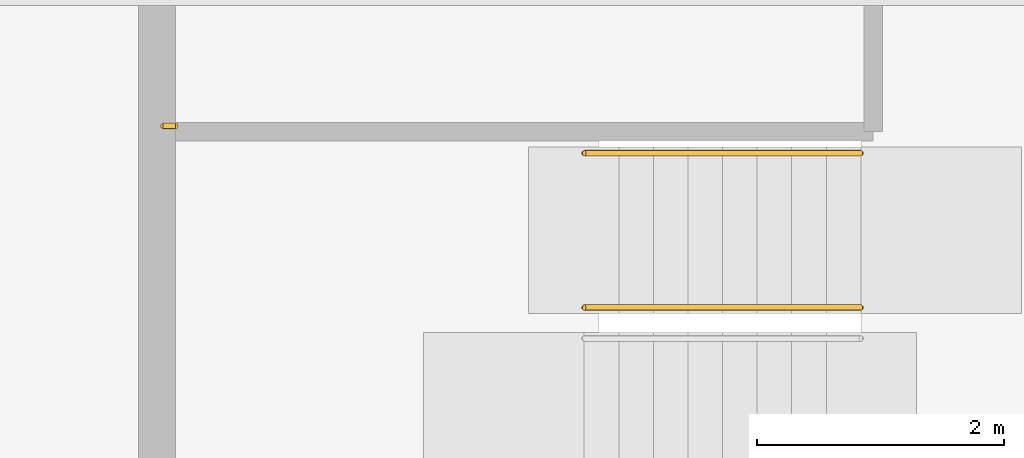
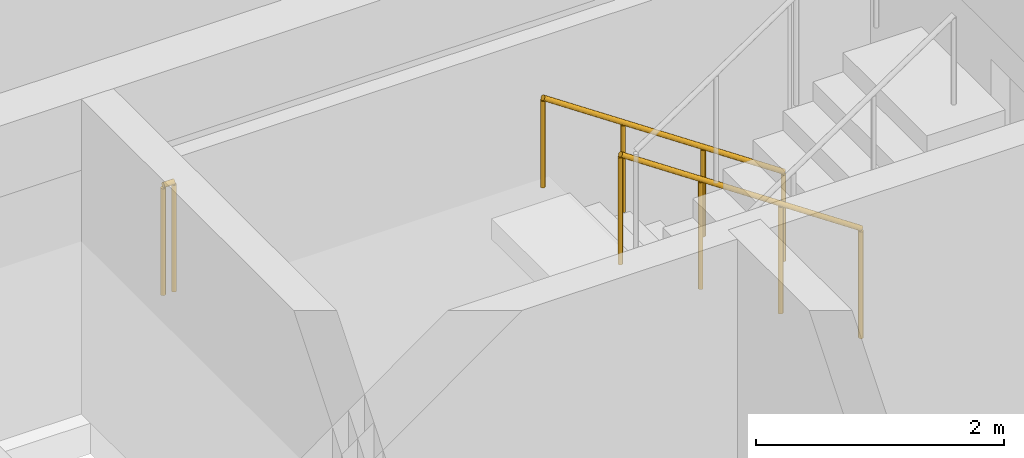
# One storey, part 11 of 12: 3 railings.
"""IFC4 building model written with IfcOpenShell, lengths in metres."""

from ifc_helpers import new_model, si_unit, direction, frame, origin, origin_2d, place, context, subcontext, project, spatial, circle, extrude, material, type_object, element, save


model = new_model("IFC4")

# Units and contexts
model_context = context("Model", 3, precision=1e-05, world=origin(), true_north=direction((0.0, 1.0)))
body_context = subcontext(model_context, "Body", "Model", "MODEL_VIEW")
ifc_project = project(units=[si_unit("LENGTHUNIT", "METRE"), si_unit("AREAUNIT", "SQUARE_METRE"), si_unit("VOLUMEUNIT", "CUBIC_METRE"), si_unit("PLANEANGLEUNIT", "RADIAN"), si_unit("MASSUNIT", "GRAM", prefix="KILO")], contexts=[model_context])

# Site, building, storey
site_placement = place(None, origin())
site = spatial("IfcSite", under=ifc_project, at=site_placement, CompositionType="ELEMENT")
building_placement = place(site_placement, origin())
building = spatial("IfcBuilding", under=site, at=building_placement, Name="Windrow Commons", CompositionType="ELEMENT")
storey_placement = place(building_placement, frame((0.0, 0.0, 260.8)))
storey = spatial("IfcBuildingStorey", under=building, at=storey_placement, Name="L71", CompositionType="ELEMENT", Elevation=260.8)

# Railings
ifc_material_1 = material(Name="Steel S355", Category="steel")
railing_type_1 = type_object("IfcRailingType", Name="Core stair guard 1100", PredefinedType="GUARDRAIL", material=ifc_material_1)
railing_1_placement = place(storey_placement, frame((70.5, 62.355, 0.1889)))
element("IfcRailing", 1, at=railing_1_placement, inside=storey, type_object=railing_type_1, Name="L71 ST-A2 stair guard 1", PredefinedType="GUARDRAIL", context=body_context, shape_type="SweptSolid", body=[
    extrude(circle(Radius=0.024, at=origin_2d()), frame((0.0, 0.0, 1.076), z_axis=(-0.8290030985, 0.0, 0.5592440099), x_axis=(0.0, -1.0, 0.0)), (0.0, 0.0, 1.0), 2.702),
    extrude(circle(Radius=0.021, at=origin_2d()), origin(), (0.0, 0.0, 1.0), 1.052),
    extrude(circle(Radius=0.021, at=origin_2d()), frame((-0.7467, 0.0, 0.5037)), (0.0, 0.0, 1.0), 1.052),
    extrude(circle(Radius=0.021, at=origin_2d()), frame((-1.4933, 0.0, 1.0074)), (0.0, 0.0, 1.0), 1.052),
    extrude(circle(Radius=0.021, at=origin_2d()), frame((-2.24, 0.0, 1.5111)), (0.0, 0.0, 1.0), 1.052),
])
railing_2_placement = place(storey_placement, frame((64.95, 63.825, 1.7)))
element("IfcRailing", 2, at=railing_2_placement, inside=storey, type_object=railing_type_1, Name="L71 ST-A2 stair guard 3", PredefinedType="GUARDRAIL", context=body_context, shape_type="SweptSolid", body=[
    extrude(circle(Radius=0.024, at=origin_2d()), frame((0.0, 0.0, 1.076), z_axis=(-1.0, 0.0, 0.0), x_axis=(0.0, -1.0, 0.0)), (0.0, 0.0, 1.0), 0.1),
    extrude(circle(Radius=0.021, at=origin_2d()), origin(), (0.0, 0.0, 1.0), 1.052),
    extrude(circle(Radius=0.021, at=origin_2d()), frame((-0.1, 0.0, 0.0)), (0.0, 0.0, 1.0), 1.052),
])
ifc_material_2 = material(Name="Steel S355", Category="steel")
railing_type_2 = type_object("IfcRailingType", Name="Core stair handrail 900", PredefinedType="HANDRAIL", material=ifc_material_2)
railing_3_placement = place(storey_placement, frame((70.5, 63.605, 0.1889)))
element("IfcRailing", 3, at=railing_3_placement, inside=storey, type_object=railing_type_2, Name="L71 ST-A2 stair handrail 1", PredefinedType="HANDRAIL", context=body_context, shape_type="SweptSolid", body=[
    extrude(circle(Radius=0.024, at=origin_2d()), frame((0.0, 0.0, 0.876), z_axis=(-0.8290030985, 0.0, 0.5592440099), x_axis=(0.0, -1.0, 0.0)), (0.0, 0.0, 1.0), 2.702),
    extrude(circle(Radius=0.021, at=origin_2d()), origin(), (0.0, 0.0, 1.0), 0.852),
    extrude(circle(Radius=0.021, at=origin_2d()), frame((-0.7467, 0.0, 0.5037)), (0.0, 0.0, 1.0), 0.852),
    extrude(circle(Radius=0.021, at=origin_2d()), frame((-1.4933, 0.0, 1.0074)), (0.0, 0.0, 1.0), 0.852),
    extrude(circle(Radius=0.021, at=origin_2d()), frame((-2.24, 0.0, 1.5111)), (0.0, 0.0, 1.0), 0.852),
])

save(model, "model.ifc")
